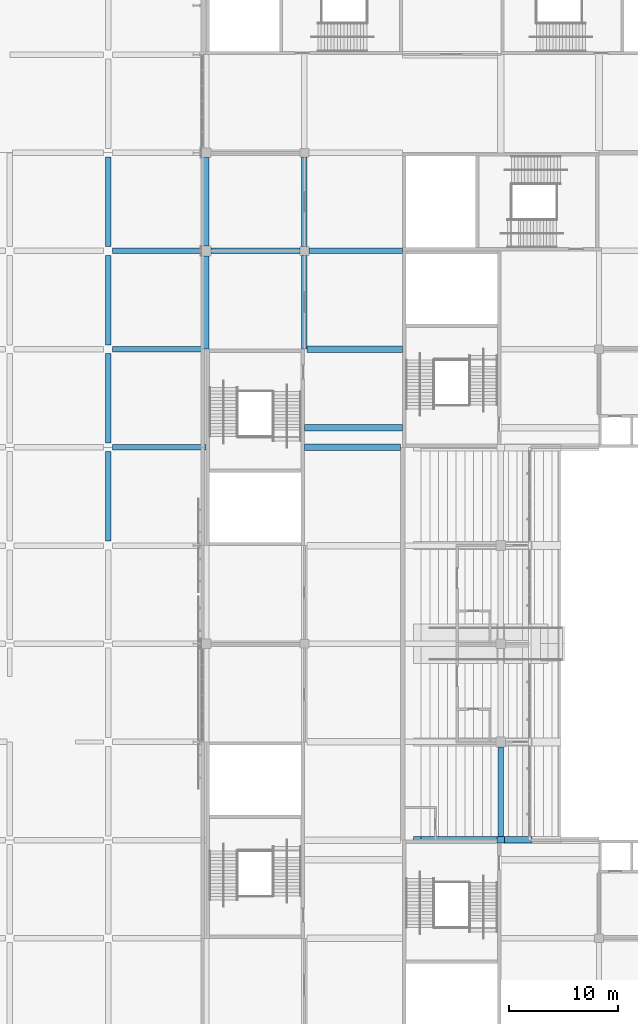
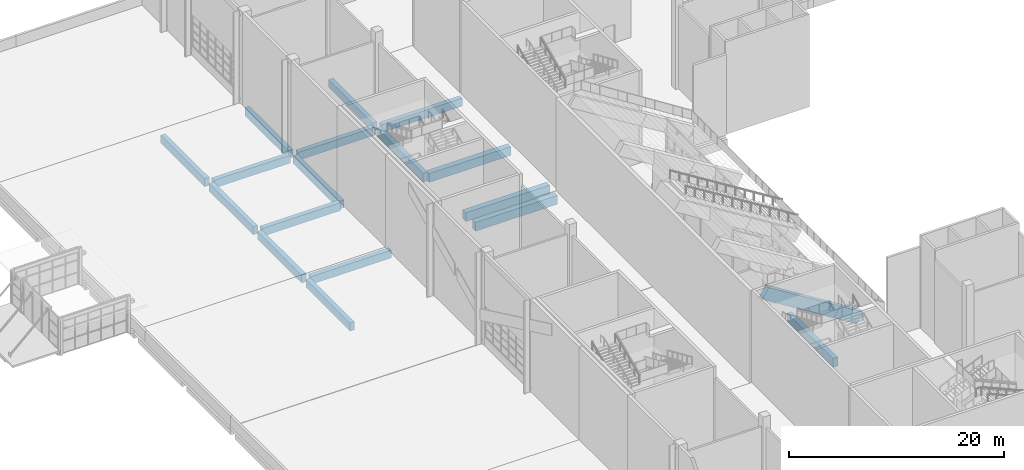
# One storey, part 31 of 182: 19 beams.
"""IFC4 building model written with IfcOpenShell, lengths in metres."""

from ifc_helpers import new_model, si_unit, direction, frame, origin, origin_2d, place, context, subcontext, project, spatial, rectangle, extrude, material, material_profile, profile_set, type_object, element, save


model = new_model("IFC4")

# Units and contexts
model_context = context("Model", 3, precision=1e-05, world=origin(), true_north=direction((0.0, 1.0)))
body_context = subcontext(model_context, "Body", "Model", "MODEL_VIEW")
ifc_project = project(units=[si_unit("LENGTHUNIT", "METRE"), si_unit("AREAUNIT", "SQUARE_METRE"), si_unit("VOLUMEUNIT", "CUBIC_METRE"), si_unit("PLANEANGLEUNIT", "RADIAN"), si_unit("MASSUNIT", "GRAM", prefix="KILO")], contexts=[model_context])

# Site, building, storey
site_placement = place(None, origin())
site = spatial("IfcSite", under=ifc_project, at=site_placement, CompositionType="ELEMENT")
building_placement = place(site_placement, origin())
building = spatial("IfcBuilding", under=site, at=building_placement, Name="Silverbay Arena", CompositionType="ELEMENT")
storey_placement = place(building_placement, frame((0.0, 0.0, 11.5)))
storey = spatial("IfcBuildingStorey", under=building, at=storey_placement, Name="L02", CompositionType="ELEMENT", Elevation=11.5)

# Beams
ifc_material_1 = material(Name="Concrete Grade C45", Category="concrete")
ifc_material_profile_1 = material_profile(ifc_material_1, rectangle(XDim=0.5, YDim=1.0, at=origin_2d()), Name="RC 500x1000")
ifc_profile_set_1 = profile_set([ifc_material_profile_1], Name="Concrete Grade C45")
beam_type_1 = type_object("IfcBeamType", Name="RC beam 500x1000", PredefinedType="BEAM", material=ifc_profile_set_1)
beam_1_placement = place(storey_placement, frame((63.0, 108.0, -0.85009765625), z_axis=(0.0, 1.0, 0.0), x_axis=(-1.0, 0.0, 0.0)))
element("IfcBeam", 1, at=beam_1_placement, inside=storey, type_object=beam_type_1, Name="Floor beam L02 228", PredefinedType="BEAM", context=body_context, shape_type="SweptSolid", body=[
    extrude(rectangle(XDim=0.5, YDim=1.0, at=origin_2d()), origin(), (0.0, 0.0, 1.0), 8.60009765625),
])
beam_2_placement = place(storey_placement, frame((81.0, 63.0, -0.85009765625), z_axis=(0.0, 1.0, 0.0), x_axis=(-1.0, 0.0, 0.0)))
element("IfcBeam", 2, at=beam_2_placement, inside=storey, type_object=beam_type_1, Name="Floor beam L02 232", PredefinedType="BEAM", context=body_context, shape_type="SweptSolid", body=[
    extrude(rectangle(XDim=0.5, YDim=1.0, at=origin_2d()), origin(), (0.0, 0.0, 1.0), 8.550048828125),
])
ifc_material_2 = material(Name="Concrete Grade C45", Category="concrete")
ifc_material_profile_2 = material_profile(ifc_material_2, rectangle(XDim=0.5, YDim=0.89990234375, at=origin_2d()), Name="RC 500x900")
ifc_profile_set_2 = profile_set([ifc_material_profile_2], Name="Concrete Grade C45")
beam_type_2 = type_object("IfcBeamType", Name="RC beam 500x900", PredefinedType="BEAM", material=ifc_profile_set_2)
beam_3_placement = place(storey_placement, frame((45.39990234375, 99.0, -0.800048828125), z_axis=(1.0, 0.0, 0.0), x_axis=(0.0, 1.0, 0.0)))
element("IfcBeam", 3, at=beam_3_placement, inside=storey, type_object=beam_type_2, Name="Floor beam L02 112", PredefinedType="BEAM", context=body_context, shape_type="SweptSolid", body=[
    extrude(rectangle(XDim=0.5, YDim=0.89990234375, at=origin_2d()), origin(), (0.0, 0.0, 1.0), 8.60009765625),
])
beam_4_placement = place(storey_placement, frame((45.39990234375, 108.0, -0.800048828125), z_axis=(1.0, 0.0, 0.0), x_axis=(0.0, 1.0, 0.0)))
element("IfcBeam", 4, at=beam_4_placement, inside=storey, type_object=beam_type_2, Name="Floor beam L02 126", PredefinedType="BEAM", context=body_context, shape_type="SweptSolid", body=[
    extrude(rectangle(XDim=0.5, YDim=0.89990234375, at=origin_2d()), origin(), (0.0, 0.0, 1.0), 8.35009765625),
])
for number, where, z_axis, x_axis, name in (
    (5, (45.39990234375, 117.0, -0.800048828125), (1.0, 0.0, 0.0), (0.0, 1.0, 0.0), "Floor beam L02 138"),
    (6, (54.449951171875, 117.0, -0.800048828125), (1.0, 0.0, 0.0), (0.0, 1.0, 0.0), "Floor beam L02 139"),
):
    element("IfcBeam", number, at=place(storey_placement, frame(where, z_axis=z_axis, x_axis=x_axis)), inside=storey, type_object=beam_type_2, Name=name, PredefinedType="BEAM", context=body_context, shape_type="SweptSolid", body=[
        extrude(rectangle(XDim=0.5, YDim=0.89990234375, at=origin_2d()), origin(), (0.0, 0.0, 1.0), 8.150146484375),
    ])
beam_5_placement = place(storey_placement, frame((63.39990234375, 117.0, -0.800048828125), z_axis=(1.0, 0.0, 0.0), x_axis=(0.0, 1.0, 0.0)))
element("IfcBeam", 7, at=beam_5_placement, inside=storey, type_object=beam_type_2, Name="Floor beam L02 140", PredefinedType="BEAM", context=body_context, shape_type="SweptSolid", body=[
    extrude(rectangle(XDim=0.5, YDim=0.89990234375, at=origin_2d()), origin(), (0.0, 0.0, 1.0), 8.60009765625),
])
for number, where, z_axis, x_axis, name in (
    (8, (45.0, 90.39990234375, -0.800048828125), (0.0, 1.0, 0.0), (-1.0, 0.0, 0.0), "Floor beam L02 209"),
    (9, (45.0, 99.39990234375, -0.800048828125), (0.0, 1.0, 0.0), (-1.0, 0.0, 0.0), "Floor beam L02 210"),
    (10, (45.0, 108.39990234375, -0.800048828125), (0.0, 1.0, 0.0), (-1.0, 0.0, 0.0), "Floor beam L02 211"),
    (11, (45.0, 117.39990234375, -0.800048828125), (0.0, 1.0, 0.0), (-1.0, 0.0, 0.0), "Floor beam L02 212"),
):
    element("IfcBeam", number, at=place(storey_placement, frame(where, z_axis=z_axis, x_axis=x_axis)), inside=storey, type_object=beam_type_2, Name=name, PredefinedType="BEAM", context=body_context, shape_type="SweptSolid", body=[
        extrude(rectangle(XDim=0.5, YDim=0.89990234375, at=origin_2d()), origin(), (0.0, 0.0, 1.0), 8.2001953125),
    ])
beam_6_placement = place(storey_placement, frame((54.0, 108.0, -0.800048828125), z_axis=(0.0, 1.0, 0.0), x_axis=(-1.0, 0.0, 0.0)))
element("IfcBeam", 12, at=beam_6_placement, inside=storey, type_object=beam_type_2, Name="Floor beam L02 220", PredefinedType="BEAM", context=body_context, shape_type="SweptSolid", body=[
    extrude(rectangle(XDim=0.5, YDim=0.89990234375, at=origin_2d()), origin(), (0.0, 0.0, 1.0), 8.550048828125),
])
beam_7_placement = place(storey_placement, frame((54.0, 117.449951171875, -0.800048828125), z_axis=(0.0, 1.0, 0.0), x_axis=(-1.0, 0.0, 0.0)))
element("IfcBeam", 13, at=beam_7_placement, inside=storey, type_object=beam_type_2, Name="Floor beam L02 221", PredefinedType="BEAM", context=body_context, shape_type="SweptSolid", body=[
    extrude(rectangle(XDim=0.5, YDim=0.89990234375, at=origin_2d()), origin(), (0.0, 0.0, 1.0), 8.10009765625),
])
beam_8_placement = place(storey_placement, frame((63.0, 117.39990234375, -0.800048828125), z_axis=(0.0, 1.0, 0.0), x_axis=(-1.0, 0.0, 0.0)))
element("IfcBeam", 14, at=beam_8_placement, inside=storey, type_object=beam_type_2, Name="Floor beam L02 229", PredefinedType="BEAM", context=body_context, shape_type="SweptSolid", body=[
    extrude(rectangle(XDim=0.5, YDim=0.89990234375, at=origin_2d()), origin(), (0.0, 0.0, 1.0), 8.2001953125),
])
ifc_material_3 = material(Name="Concrete Grade C45", Category="concrete")
ifc_material_profile_3 = material_profile(ifc_material_3, rectangle(XDim=0.60009765625, YDim=1.0, at=origin_2d()), Name="RC 600x1000")
ifc_profile_set_3 = profile_set([ifc_material_profile_3], Name="Concrete Grade C45")
beam_type_3 = type_object("IfcBeamType", Name="RC beam 600x1000", PredefinedType="BEAM", material=ifc_profile_set_3)
beam_9_placement = place(storey_placement, frame((63.0, 99.0, -0.85009765625), z_axis=(1.0, 0.0, 0.0), x_axis=(0.0, 1.0, 0.0)))
element("IfcBeam", 15, at=beam_9_placement, inside=storey, type_object=beam_type_3, Name="Floor beam L02 113", PredefinedType="BEAM", context=body_context, shape_type="SweptSolid", body=[
    extrude(rectangle(XDim=0.60009765625, YDim=1.0, at=origin_2d()), origin(), (0.0, 0.0, 1.0), 8.800048828125),
])
beam_10_placement = place(storey_placement, frame((63.0, 100.800048828125, -0.85009765625), z_axis=(1.0, 0.0, 0.0), x_axis=(0.0, 1.0, 0.0)))
element("IfcBeam", 16, at=beam_10_placement, inside=storey, type_object=beam_type_3, Name="Floor beam L02 120", PredefinedType="BEAM", context=body_context, shape_type="SweptSolid", body=[
    extrude(rectangle(XDim=0.60009765625, YDim=1.0, at=origin_2d()), origin(), (0.0, 0.0, 1.0), 9.0),
])
beam_11_placement = place(storey_placement, frame((63.25, 108.0, -0.85009765625), z_axis=(1.0, 0.0, 0.0), x_axis=(0.0, 1.0, 0.0)))
element("IfcBeam", 17, at=beam_11_placement, inside=storey, type_object=beam_type_3, Name="Floor beam L02 127", PredefinedType="BEAM", context=body_context, shape_type="SweptSolid", body=[
    extrude(rectangle(XDim=0.60009765625, YDim=1.0, at=origin_2d()), origin(), (0.0, 0.0, 1.0), 8.75),
])
ifc_material_4 = material(Name="Concrete Grade C45", Category="concrete")
ifc_material_profile_4 = material_profile(ifc_material_4, rectangle(XDim=0.60009765625, YDim=1.300048828125, at=origin_2d()), Name="RC 600x1300")
ifc_profile_set_4 = profile_set([ifc_material_profile_4], Name="Concrete Grade C45")
beam_type_4 = type_object("IfcBeamType", Name="RC cantilever raker 600x1300", PredefinedType="BEAM", material=ifc_profile_set_4)
beam_12_placement = place(storey_placement, frame((83.5, 63.050048828125, 3.428466796875), z_axis=(-0.847998304005, 0.0, 0.529998940003), x_axis=(0.0, -1.0, 0.0)))
element("IfcBeam", 18, at=beam_12_placement, inside=storey, type_object=beam_type_4, Name="Raker West upper 63 mid", PredefinedType="BEAM", context=body_context, shape_type="SweptSolid", body=[
    extrude(rectangle(XDim=0.60009765625, YDim=1.300048828125, at=origin_2d()), origin(), (0.0, 0.0, 1.0), 2.947998046875),
])
ifc_material_5 = material(Name="Concrete Grade C45", Category="concrete")
ifc_material_profile_5 = material_profile(ifc_material_5, rectangle(XDim=0.60009765625, YDim=1.300048828125, at=origin_2d()), Name="RC 600x1300")
ifc_profile_set_5 = profile_set([ifc_material_profile_5], Name="Concrete Grade C45")
beam_type_5 = type_object("IfcBeamType", Name="RC tier raker 600x1300", PredefinedType="BEAM", material=ifc_profile_set_5)
beam_13_placement = place(storey_placement, frame((81.0, 63.050048828125, 4.990966796875), z_axis=(-0.847998304005, 0.0, 0.529998940003), x_axis=(0.0, -1.0, 0.0)))
element("IfcBeam", 19, at=beam_13_placement, inside=storey, type_object=beam_type_5, Name="Raker West upper 63 back", PredefinedType="BEAM", context=body_context, shape_type="SweptSolid", body=[
    extrude(rectangle(XDim=0.60009765625, YDim=1.300048828125, at=origin_2d()), origin(), (0.0, 0.0, 1.0), 9.014892578125),
])

save(model, "model.ifc")
